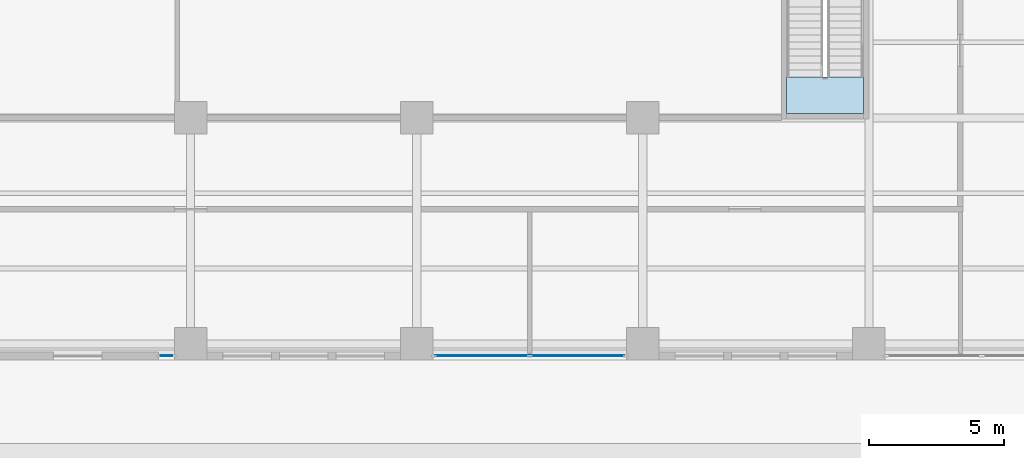
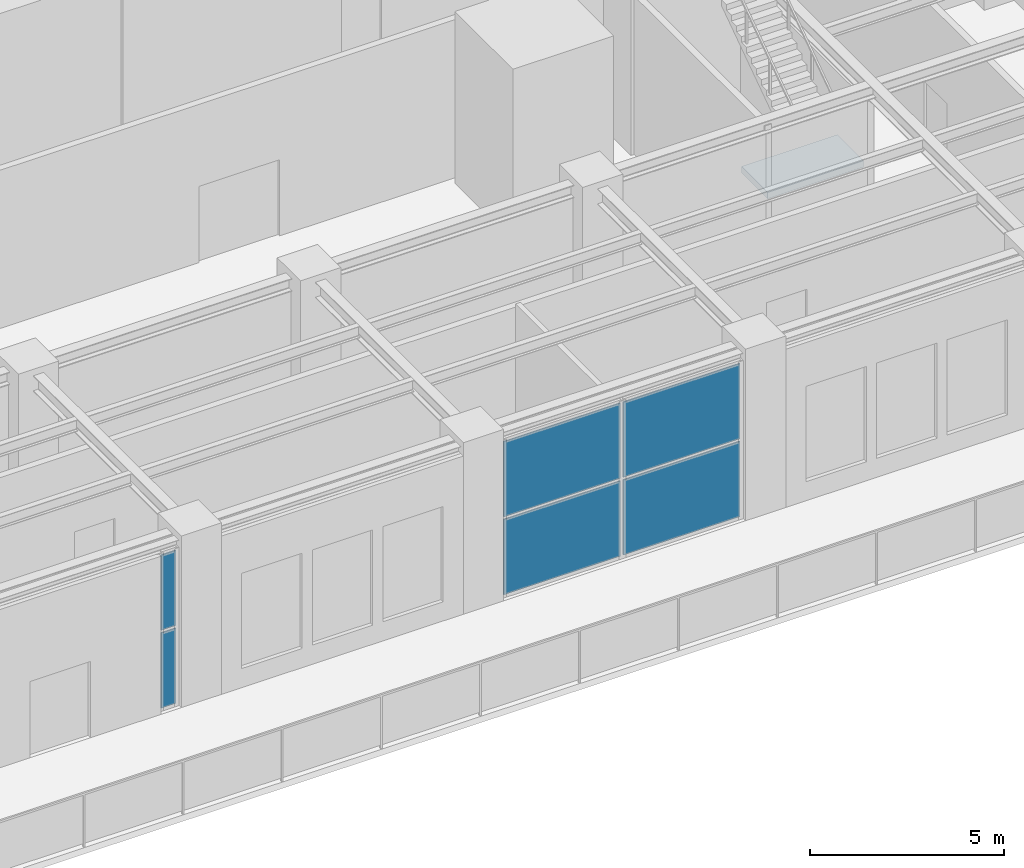
# One storey, part 15 of 36: 6 plates, 1 slab, 3 elements without a shape of their own.
"""IFC4 building model written with IfcOpenShell, lengths in metres."""

from ifc_helpers import new_model, si_unit, direction, frame, origin, origin_2d, place, context, subcontext, project, spatial, polyline, rectangle, outline, extrude, material, layer, layer_set, type_object, element, aggregate, save


model = new_model("IFC4")

# Units and contexts
model_context = context("Model", 3, precision=1e-05, world=origin(), true_north=direction((0.0, 1.0)))
body_context = subcontext(model_context, "Body", "Model", "MODEL_VIEW")
ifc_project = project(units=[si_unit("LENGTHUNIT", "METRE"), si_unit("AREAUNIT", "SQUARE_METRE"), si_unit("VOLUMEUNIT", "CUBIC_METRE"), si_unit("PLANEANGLEUNIT", "RADIAN"), si_unit("MASSUNIT", "GRAM", prefix="KILO")], contexts=[model_context])

# Site, building, storey
site_placement = place(None, origin())
site = spatial("IfcSite", under=ifc_project, at=site_placement, CompositionType="ELEMENT")
building_placement = place(site_placement, origin())
building = spatial("IfcBuilding", under=site, at=building_placement, Name="Khepri Terraces", CompositionType="ELEMENT")
storey_placement = place(building_placement, frame((0.0, 0.0, 16.800048828125)))
storey = spatial("IfcBuildingStorey", under=building, at=storey_placement, Name="L03", CompositionType="ELEMENT", Elevation=16.800048828125)

# Curtain wall, plates
ifc_material_1 = material(Name="Anodised aluminium bronze curtain wall", Category="aluminium")
curtain_wall_type = type_object("IfcCurtainWallType", Name="CW-SYS5-BALLROOM", PredefinedType="NOTDEFINED", material=ifc_material_1)
curtain_wall_1_placement = place(storey_placement, origin())
curtain_wall_1 = element("IfcCurtainWall", 1, at=curtain_wall_1_placement, inside=storey, type_object=curtain_wall_type, Name="Curtain wall CW5 L03 S", PredefinedType="NOTDEFINED")
ifc_material_2 = material(Name="Clear glass", Category="glass")
ifc_layer_1 = layer(ifc_material_2, 0.035888671875, Name="Clear glass", Category="glass")
ifc_layer_set_1 = layer_set([ifc_layer_1], Name="Clear glass")
plate_type = type_object("IfcPlateType", Name="CW-PANEL-VISION-36", PredefinedType="CURTAIN_PANEL", material=ifc_layer_set_1)
plate_1_placement = place(storey_placement, frame((-0.89990234375, -34.050048828125, 0.079833984375), z_axis=(0.0, 0.0, 1.0), x_axis=(1.0, 0.0, 0.0)))
plate_1 = element("IfcPlate", 2, at=plate_1_placement, type_object=plate_type, Name="CW5 panel 1.1", PredefinedType="CURTAIN_PANEL", context=body_context, shape_type="SweptSolid", body=[
    extrude(rectangle(XDim=0.43994140625, YDim=0.035888671875, at=origin_2d()), origin(), (0.0, 0.0, 1.0), 2.3701171875),
])
plate_2_placement = place(storey_placement, frame((-0.89990234375, -34.050048828125, 2.52978515625), z_axis=(0.0, 0.0, 1.0), x_axis=(1.0, 0.0, 0.0)))
plate_2 = element("IfcPlate", 3, at=plate_2_placement, type_object=plate_type, Name="CW5 panel 1.2", PredefinedType="CURTAIN_PANEL", context=body_context, shape_type="SweptSolid", body=[
    extrude(rectangle(XDim=0.43994140625, YDim=0.035888671875, at=origin_2d()), origin(), (0.0, 0.0, 1.0), 2.3701171875),
])
aggregate(curtain_wall_1, [plate_1, plate_2])

curtain_wall_2_placement = place(storey_placement, origin())
curtain_wall_2 = element("IfcCurtainWall", 4, at=curtain_wall_2_placement, inside=storey, type_object=curtain_wall_type, Name="Curtain wall CW5 L03 S", PredefinedType="NOTDEFINED")
plate_3_placement = place(storey_placement, frame((10.820068359375, -34.050048828125, 0.079833984375), z_axis=(0.0, 0.0, 1.0), x_axis=(1.0, 0.0, 0.0)))
plate_3 = element("IfcPlate", 5, at=plate_3_placement, type_object=plate_type, Name="CW5 panel 1.1", PredefinedType="CURTAIN_PANEL", context=body_context, shape_type="SweptSolid", body=[
    extrude(rectangle(XDim=3.47998046875, YDim=0.035888671875, at=origin_2d()), origin(), (0.0, 0.0, 1.0), 2.3701171875),
])
plate_4_placement = place(storey_placement, frame((10.820068359375, -34.050048828125, 2.52978515625), z_axis=(0.0, 0.0, 1.0), x_axis=(1.0, 0.0, 0.0)))
plate_4 = element("IfcPlate", 6, at=plate_4_placement, type_object=plate_type, Name="CW5 panel 1.2", PredefinedType="CURTAIN_PANEL", context=body_context, shape_type="SweptSolid", body=[
    extrude(rectangle(XDim=3.47998046875, YDim=0.035888671875, at=origin_2d()), origin(), (0.0, 0.0, 1.0), 2.3701171875),
])
plate_5_placement = place(storey_placement, frame((14.3798828125, -34.050048828125, 0.079833984375), z_axis=(0.0, 0.0, 1.0), x_axis=(1.0, 0.0, 0.0)))
plate_5 = element("IfcPlate", 7, at=plate_5_placement, type_object=plate_type, Name="CW5 panel 2.1", PredefinedType="CURTAIN_PANEL", context=body_context, shape_type="SweptSolid", body=[
    extrude(rectangle(XDim=3.47998046875, YDim=0.035888671875, at=origin_2d()), origin(), (0.0, 0.0, 1.0), 2.3701171875),
])
plate_6_placement = place(storey_placement, frame((14.3798828125, -34.050048828125, 2.52978515625), z_axis=(0.0, 0.0, 1.0), x_axis=(1.0, 0.0, 0.0)))
plate_6 = element("IfcPlate", 8, at=plate_6_placement, type_object=plate_type, Name="CW5 panel 2.2", PredefinedType="CURTAIN_PANEL", context=body_context, shape_type="SweptSolid", body=[
    extrude(rectangle(XDim=3.47998046875, YDim=0.035888671875, at=origin_2d()), origin(), (0.0, 0.0, 1.0), 2.3701171875),
])
aggregate(curtain_wall_2, [plate_3, plate_4, plate_5, plate_6])

# Stair, slab
ifc_material_3 = material(Name="Concrete C40/50", Category="concrete")
stair_type = type_object("IfcStairType", Name="ST-POD", PredefinedType="HALF_TURN_STAIR", material=ifc_material_3)
stair_placement = place(storey_placement, origin())
stair = element("IfcStair", 9, at=stair_placement, inside=storey, type_object=stair_type, Name="L03 Exit Stair PS-3", PredefinedType="HALF_TURN_STAIR")
ifc_layer_2 = layer(ifc_material_3, 0.199951171875, Name="Concrete C40/50", Category="concrete")
ifc_layer_set_2 = layer_set([ifc_layer_2], Name="Concrete C40/50")
slab_type = type_object("IfcSlabType", Name="SL-POD", PredefinedType="LANDING", material=ifc_layer_set_2)
slab_placement = place(storey_placement, frame((0.0, 0.0, 2.5)))
slab = element("IfcSlab", 10, at=slab_placement, type_object=slab_type, Name="PS-3 landing 1", PredefinedType="LANDING", context=body_context, shape_type="SweptSolid", body=[
    extrude(outline(polyline([(22.14990234375, -23.68994140625), (22.14990234375, -25.0400390625), (25.0, -25.0400390625), (25.0, -23.68994140625), (22.14990234375, -23.68994140625)])), origin(), (0.0, 0.0, 1.0), 0.199951171875),
])
aggregate(stair, [slab])

save(model, "model.ifc")
